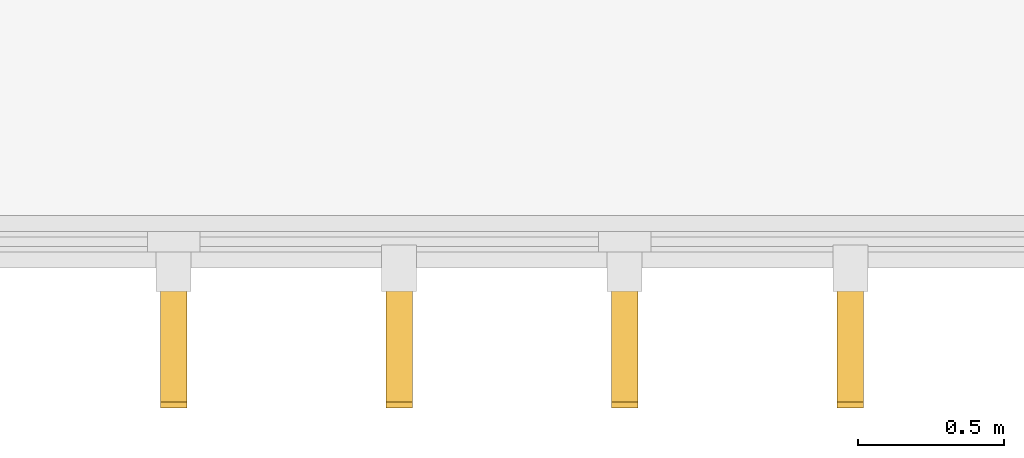
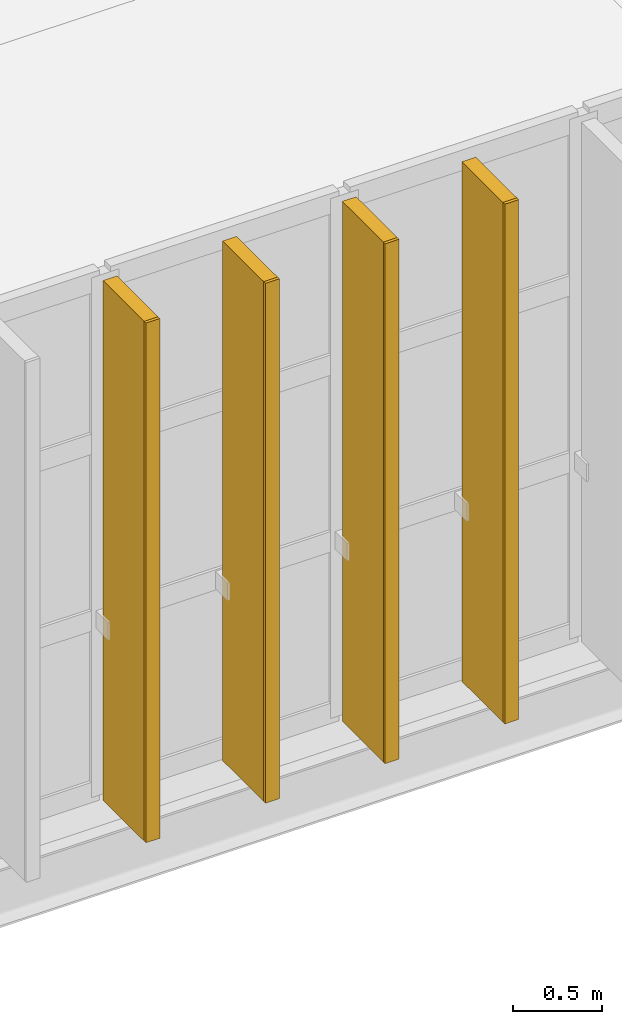
# One storey, part 25 of 38: 4 coverings, 4 shading devices.
"""IFC4 building model written with IfcOpenShell, lengths in metres."""

from ifc_helpers import new_model, si_unit, direction, frame, origin, origin_2d, place, context, subcontext, project, spatial, rectangle, extrude, material, layer, layer_set, type_object, element, save


model = new_model("IFC4")

# Units and contexts
model_context = context("Model", 3, precision=1e-05, world=origin(), true_north=direction((0.0, 1.0)))
body_context = subcontext(model_context, "Body", "Model", "MODEL_VIEW")
ifc_project = project(units=[si_unit("LENGTHUNIT", "METRE"), si_unit("AREAUNIT", "SQUARE_METRE"), si_unit("VOLUMEUNIT", "CUBIC_METRE"), si_unit("PLANEANGLEUNIT", "RADIAN"), si_unit("MASSUNIT", "GRAM", prefix="KILO")], contexts=[model_context])

# Site, building, storey
site_placement = place(None, origin())
site = spatial("IfcSite", under=ifc_project, at=site_placement, CompositionType="ELEMENT")
building_placement = place(site_placement, origin())
building = spatial("IfcBuilding", under=site, at=building_placement, Name="Zarnetskaya Central Station", CompositionType="ELEMENT")
storey_placement = place(building_placement, frame((0.0, 0.0, 18.60009765625)))
storey = spatial("IfcBuildingStorey", under=building, at=storey_placement, Name="L04", CompositionType="ELEMENT", Elevation=18.60009765625)

# Coverings
ifc_material_1 = material(Name="Treated larch timber", Category="wood")
ifc_layer = layer(ifc_material_1, 0.02001953125, Name="Treated larch timber", Category="wood")
ifc_layer_set = layer_set([ifc_layer], Name="Treated larch timber")
covering_type = type_object("IfcCoveringType", Name="COV-LARCH-CAP", PredefinedType="CLADDING", material=ifc_layer_set)
for number, where, z_axis, x_axis, name in (
    (1, (15.175048828125, -0.56005859375, -0.000244140625), (0.0, 0.0, 1.0), (-1.0, 0.0, 0.0), "Larch fin weather cap CW-L04-061-05"),
    (2, (14.39990234375, -0.56005859375, -0.000244140625), (0.0, 0.0, 1.0), (-1.0, 0.0, 0.0), "Larch fin weather cap CW-L04-061-06"),
    (3, (13.625, -0.56005859375, -0.000244140625), (0.0, 0.0, 1.0), (-1.0, 0.0, 0.0), "Larch fin weather cap CW-L04-061-07"),
    (4, (12.85009765625, -0.56005859375, -0.000244140625), (0.0, 0.0, 1.0), (-1.0, 0.0, 0.0), "Larch fin weather cap CW-L04-061-08"),
):
    element("IfcCovering", number, at=place(storey_placement, frame(where, z_axis=z_axis, x_axis=x_axis)), inside=storey, type_object=covering_type, Name=name, PredefinedType="CLADDING", context=body_context, shape_type="SweptSolid", body=[
        extrude(rectangle(XDim=0.090087890625, YDim=0.02001953125, at=origin_2d()), origin(), (0.0, 0.0, 1.0), 3.56005859375),
    ])

# Shading devices
ifc_material_2 = material(Name="Larch glulam GL28h", Category="wood")
shading_device_type = type_object("IfcShadingDeviceType", Name="SHD-LARCH-FIN-A", PredefinedType="USERDEFINED", material=ifc_material_2)
for number, where, z_axis, x_axis, name in (
    (5, (15.175048828125, -0.320068359375, -0.000244140625), (0.0, 0.0, 1.0), (-1.0, 0.0, 0.0), "Vertical larch timber fin CW-L04-061-05"),
    (6, (14.39990234375, -0.320068359375, -0.000244140625), (0.0, 0.0, 1.0), (-1.0, 0.0, 0.0), "Vertical larch timber fin CW-L04-061-06"),
    (7, (13.625, -0.320068359375, -0.000244140625), (0.0, 0.0, 1.0), (-1.0, 0.0, 0.0), "Vertical larch timber fin CW-L04-061-07"),
    (8, (12.85009765625, -0.320068359375, -0.000244140625), (0.0, 0.0, 1.0), (-1.0, 0.0, 0.0), "Vertical larch timber fin CW-L04-061-08"),
):
    element("IfcShadingDevice", number, at=place(storey_placement, frame(where, z_axis=z_axis, x_axis=x_axis)), inside=storey, type_object=shading_device_type, Name=name, ObjectType="TIMBER FIN", PredefinedType="USERDEFINED", context=body_context, shape_type="SweptSolid", body=[
        extrude(rectangle(XDim=0.090087890625, YDim=0.4599609375, at=origin_2d()), origin(), (0.0, 0.0, 1.0), 3.56005859375),
    ])

save(model, "model.ifc")
